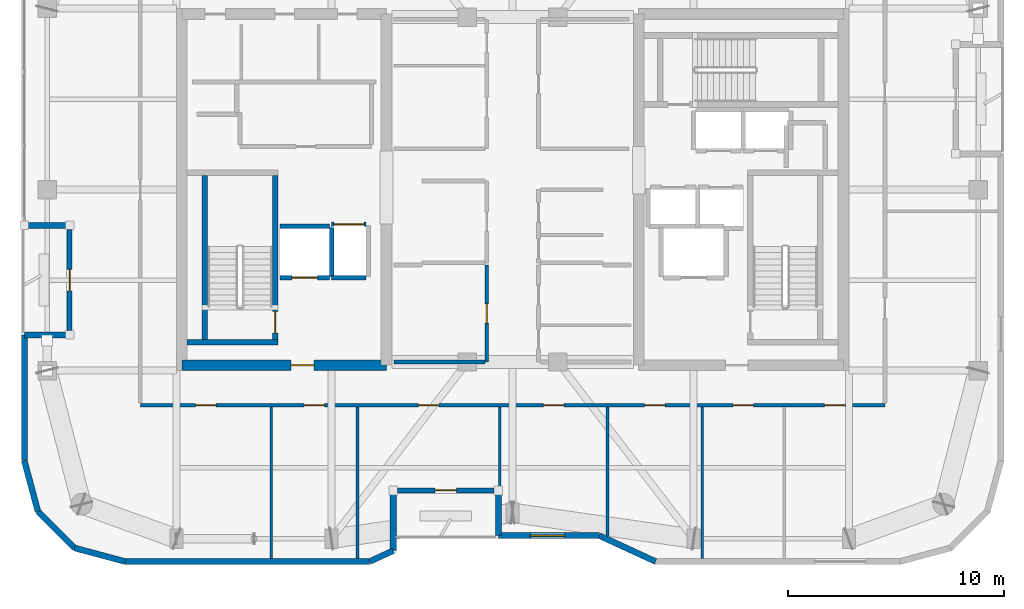
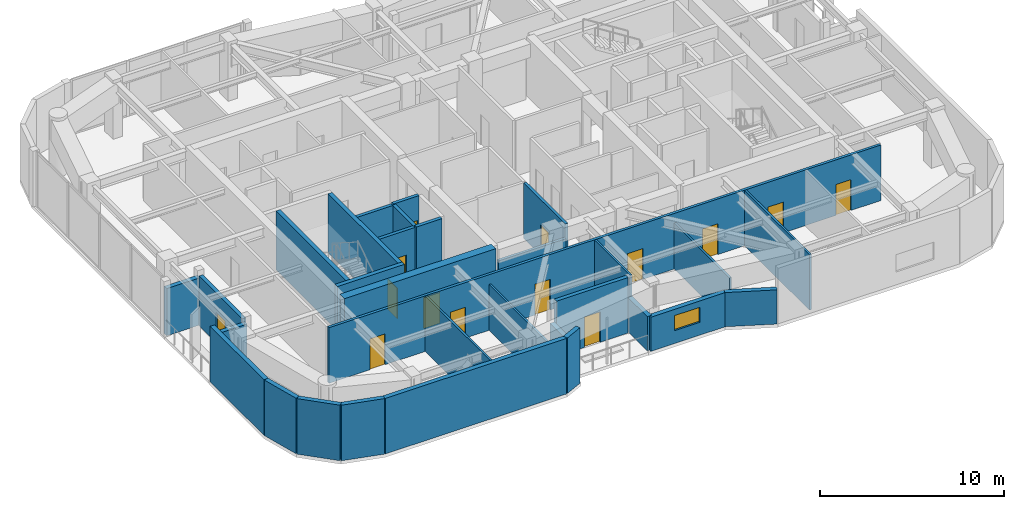
# One storey, part 10 of 15: 31 walls, 14 doors, 1 window, 15 openings.
"""IFC4 building model written with IfcOpenShell, lengths in metres."""

from ifc_helpers import new_model, si_unit, direction, frame, frame_2d, origin, place, context, subcontext, project, spatial, rectangle, extrude, material, layer, layer_set, type_object, element, fill, save


model = new_model("IFC4")

# Units and contexts
model_context = context("Model", 3, precision=1e-05, world=origin(), true_north=direction((0.0, 1.0)))
body_context = subcontext(model_context, "Body", "Model", "MODEL_VIEW")
ifc_project = project(units=[si_unit("LENGTHUNIT", "METRE"), si_unit("AREAUNIT", "SQUARE_METRE"), si_unit("VOLUMEUNIT", "CUBIC_METRE"), si_unit("PLANEANGLEUNIT", "RADIAN"), si_unit("MASSUNIT", "GRAM", prefix="KILO")], contexts=[model_context])

# Site, building, storey
site_placement = place(None, origin())
site = spatial("IfcSite", under=ifc_project, at=site_placement, CompositionType="ELEMENT")
building_placement = place(site_placement, origin())
building = spatial("IfcBuilding", under=site, at=building_placement, Name="Kiyonajd Concourse Tower", CompositionType="ELEMENT")
storey_placement = place(building_placement, frame((0.0, 0.0, 314.10009765625)))
storey = spatial("IfcBuildingStorey", under=building, at=storey_placement, Name="L79", CompositionType="ELEMENT", Elevation=314.10009765625)

# Wall, opening, door
ifc_material_1 = material(Name="Concrete C60/75", Category="concrete")
ifc_layer_1 = layer(ifc_material_1, 0.5)
ifc_layer_set_1 = layer_set([ifc_layer_1], Name="Concrete C60/75")
wall_type_1 = type_object("IfcWallType", Name="WL-CORE-500", PredefinedType="SHEAR", material=ifc_layer_set_1)
wall_1_placement = place(storey_placement, frame((32.64990234375, 27.85009765625, 0.0), z_axis=(0.0, 0.0, 1.0), x_axis=(1.0, 0.0, 0.0)))
wall_1 = element("IfcWall", 1, at=wall_1_placement, inside=storey, type_object=wall_type_1, Name="L79 West Core South Shear Wall", PredefinedType="SHEAR", context=body_context, shape_type="SweptSolid", body=[
    extrude(rectangle(XDim=9.5, YDim=0.5, at=frame_2d((4.75, 0.0))), origin(), (0.0, 0.0, 1.0), 3.89990234375),
])
opening_1_placement = place(wall_1_placement, frame((5.074951171875, 0.0, 0.0)))
opening_1 = element("IfcOpeningElement", 2, at=opening_1_placement, cuts=wall_1, Name="Opening DF5", PredefinedType="OPENING", context=body_context, shape_type="SweptSolid", body=[
    extrude(rectangle(XDim=1.050048828125, YDim=2.0400390625, at=frame_2d((0.52490234375, 1.02001953125))), frame((0.0, 0.260009765625, 0.0), z_axis=(0.0, -1.0, 0.0), x_axis=(1.0, 0.0, 0.0)), (0.0, 0.0, 1.0), 0.52001953125),
])
ifc_material_2 = material(Name="Brushed Stainless Steel Cab Assembly", Category="steel")
door_type_1 = type_object("IfcDoorType", Name="DR-FD45-1050", OperationType="NOTDEFINED", PredefinedType="DOOR", material=ifc_material_2)
door_1_placement = place(opening_1_placement, origin())
door_1 = element("IfcDoor", 3, at=door_1_placement, inside=storey, type_object=door_type_1, Name="L79 Firefighting Lift Lobby W Smoke Door", OperationType="SINGLE_SWING_LEFT", OverallHeight=2.0400390625, OverallWidth=1.050048828125, PredefinedType="DOOR", context=body_context, shape_type="SweptSolid", body=[
    extrude(rectangle(XDim=1.050048828125, YDim=2.0400390625, at=frame_2d((0.52490234375, 1.02001953125))), frame((0.0, 0.02490234375, 0.0), z_axis=(0.0, -1.0, 0.0), x_axis=(1.0, 0.0, 0.0)), (0.0, 0.0, 1.0), 0.050048828125),
])
fill(opening_1, door_1)

# Walls
ifc_material_3 = material(Name="Precast concrete C50/60", Category="concrete")
ifc_layer_2 = layer(ifc_material_3, 0.280029296875)
ifc_layer_set_2 = layer_set([ifc_layer_2], Name="Precast concrete C50/60")
wall_type_2 = type_object("IfcWallType", Name="WL-EXT-280", PredefinedType="SOLIDWALL", material=ifc_layer_set_2)
wall_2_placement = place(storey_placement, frame((25.968505859375, 21.072509765625, 0.0), z_axis=(0.0, 0.0, 1.0), x_axis=(-0.258751159445, 0.965944013639, 0.0)))
element("IfcWall", 4, at=wall_2_placement, inside=storey, type_object=wall_type_2, Name="L79 Exterior Concrete Frame Wall 00", PredefinedType="SOLIDWALL", context=body_context, shape_type="SweptSolid", body=[
    extrude(rectangle(XDim=2.4287109375, YDim=0.280029296875, at=frame_2d((1.21435546875, 0.0))), origin(), (0.0, 0.0, 1.0), 3.679931640625),
])
wall_3_placement = place(storey_placement, frame((25.340087890625, 23.41845703125, 0.0), z_axis=(0.0, 0.0, 1.0), x_axis=(0.0, 1.0, 0.0)))
element("IfcWall", 5, at=wall_3_placement, inside=storey, type_object=wall_type_2, Name="L79 Exterior Concrete Frame Wall 01", PredefinedType="SOLIDWALL", context=body_context, shape_type="SweptSolid", body=[
    extrude(rectangle(XDim=5.841552734375, YDim=0.280029296875, at=frame_2d((2.9208984375, 0.0))), origin(), (0.0, 0.0, 1.0), 3.679931640625),
])
for number, where, z_axis, x_axis, name in (
    (6, (25.340087890625, 29.260009765625, 0.0), (0.0, 0.0, 1.0), (1.0, 0.0, 0.0), "L79 Exterior Concrete Frame Wall 02"),
    (7, (27.43994140625, 34.340087890625, 0.0), (0.0, 0.0, 1.0), (-1.0, 0.0, 0.0), "L79 Exterior Concrete Frame Wall 04"),
):
    element("IfcWall", number, at=place(storey_placement, frame(where, z_axis=z_axis, x_axis=x_axis)), inside=storey, type_object=wall_type_2, Name=name, PredefinedType="SOLIDWALL", context=body_context, shape_type="SweptSolid", body=[
        extrude(rectangle(XDim=2.099853515625, YDim=0.280029296875, at=frame_2d((1.0498046875, 0.0))), origin(), (0.0, 0.0, 1.0), 3.1259765625),
    ])
wall_4_placement = place(storey_placement, frame((54.630615234375, 18.739990234375, 0.0), z_axis=(0.0, 0.0, 1.0), x_axis=(-0.907956889006, 0.419063584324, 0.0)))
element("IfcWall", 8, at=wall_4_placement, inside=storey, type_object=wall_type_2, Name="L79 Exterior Concrete Frame Wall 29", PredefinedType="SOLIDWALL", context=body_context, shape_type="SweptSolid", body=[
    extrude(rectangle(XDim=2.863525390625, YDim=0.280029296875, at=frame_2d((1.431640625, 0.0))), origin(), (0.0, 0.0, 1.0), 2.264892578125),
])

# Wall, opening, window
wall_5_placement = place(storey_placement, frame((52.03076171875, 19.93994140625, 0.0), z_axis=(0.0, 0.0, 1.0), x_axis=(-1.0, 0.0, 0.0)))
wall_5 = element("IfcWall", 9, at=wall_5_placement, inside=storey, type_object=wall_type_2, Name="L79 Exterior Concrete Frame Wall 30", PredefinedType="SOLIDWALL", context=body_context, shape_type="SweptSolid", body=[
    extrude(rectangle(XDim=4.690673828125, YDim=0.280029296875, at=frame_2d((2.34521484375, 0.0))), origin(), (0.0, 0.0, 1.0), 2.264892578125),
])
opening_2_placement = place(wall_5_placement, frame((1.610107421875, 0.0, 0.85009765625)))
opening_2 = element("IfcOpeningElement", 10, at=opening_2_placement, cuts=wall_5, Name="Opening WN6", PredefinedType="OPENING", context=body_context, shape_type="SweptSolid", body=[
    extrude(rectangle(XDim=1.60009765625, YDim=1.0, at=frame_2d((0.800048828125, 0.5))), frame((0.0, 0.14990234375, 0.0), z_axis=(0.0, -1.0, 0.0), x_axis=(1.0, 0.0, 0.0)), (0.0, 0.0, 1.0), 0.300048828125),
])
ifc_material_4 = material(Name="Double Low-E Insulated Glass", Category="glass")
window_type = type_object("IfcWindowType", Name="WN-VIS-1600x1000", PartitioningType="SINGLE_PANEL", PredefinedType="WINDOW", material=ifc_material_4)
window_placement = place(opening_2_placement, origin())
window = element("IfcWindow", 11, at=window_placement, inside=storey, type_object=window_type, Name="L79 Modular Facade Vision Window 30", OverallHeight=1.0, OverallWidth=1.60009765625, PartitioningType="SINGLE_PANEL", PredefinedType="WINDOW", context=body_context, shape_type="SweptSolid", body=[
    extrude(rectangle(XDim=1.60009765625, YDim=1.0, at=frame_2d((0.800048828125, 0.5))), frame((0.0, 0.030029296875, 0.0), z_axis=(0.0, -1.0, 0.0), x_axis=(1.0, 0.0, 0.0)), (0.0, 0.0, 1.0), 0.06005859375),
])
fill(opening_2, window)

# Walls
wall_6_placement = place(storey_placement, frame((47.340087890625, 19.93994140625, 0.0), z_axis=(0.0, 0.0, 1.0), x_axis=(0.0, 1.0, 0.0)))
element("IfcWall", 12, at=wall_6_placement, inside=storey, type_object=wall_type_2, Name="L79 Exterior Concrete Frame Wall 31", PredefinedType="SOLIDWALL", context=body_context, shape_type="SweptSolid", body=[
    extrude(rectangle(XDim=2.10009765625, YDim=0.280029296875, at=frame_2d((1.050048828125, 0.0))), origin(), (0.0, 0.0, 1.0), 2.264892578125),
])
wall_7_placement = place(storey_placement, frame((42.4599609375, 22.0400390625, 0.0), z_axis=(0.0, 0.0, 1.0), x_axis=(0.0, -1.0, 0.0)))
element("IfcWall", 13, at=wall_7_placement, inside=storey, type_object=wall_type_2, Name="L79 Exterior Concrete Frame Wall 33", PredefinedType="SOLIDWALL", context=body_context, shape_type="SweptSolid", body=[
    extrude(rectangle(XDim=2.79638671875, YDim=0.280029296875, at=frame_2d((1.398193359375, 0.0))), origin(), (0.0, 0.0, 1.0), 2.264892578125),
])
wall_8_placement = place(storey_placement, frame((42.4599609375, 19.24365234375, 0.0), z_axis=(0.0, 0.0, 1.0), x_axis=(-0.907893953211, -0.419199916176, 0.0)))
element("IfcWall", 14, at=wall_8_placement, inside=storey, type_object=wall_type_2, Name="L79 Exterior Concrete Frame Wall 34", PredefinedType="SOLIDWALL", context=body_context, shape_type="SweptSolid", body=[
    extrude(rectangle(XDim=1.201416015625, YDim=0.280029296875, at=frame_2d((0.6005859375, 0.0))), origin(), (0.0, 0.0, 1.0), 3.679931640625),
])
wall_9_placement = place(storey_placement, frame((41.369140625, 18.739990234375, 0.0), z_axis=(0.0, 0.0, 1.0), x_axis=(-1.0, 0.0, 0.0)))
element("IfcWall", 15, at=wall_9_placement, inside=storey, type_object=wall_type_2, Name="L79 Exterior Concrete Frame Wall 35", PredefinedType="SOLIDWALL", context=body_context, shape_type="SweptSolid", body=[
    extrude(rectangle(XDim=11.350830078125, YDim=0.280029296875, at=frame_2d((5.67529296875, 0.0))), origin(), (0.0, 0.0, 1.0), 3.679931640625),
])
wall_10_placement = place(storey_placement, frame((30.018310546875, 18.739990234375, 0.0), z_axis=(0.0, 0.0, 1.0), x_axis=(-0.965937282298, 0.25877628691, 0.0)))
element("IfcWall", 16, at=wall_10_placement, inside=storey, type_object=wall_type_2, Name="L79 Exterior Concrete Frame Wall 36", PredefinedType="SOLIDWALL", context=body_context, shape_type="SweptSolid", body=[
    extrude(rectangle(XDim=2.428466796875, YDim=0.280029296875, at=frame_2d((1.21435546875, 0.0))), origin(), (0.0, 0.0, 1.0), 3.679931640625),
])
wall_11_placement = place(storey_placement, frame((27.672607421875, 19.368408203125, 0.0), z_axis=(0.0, 0.0, 1.0), x_axis=(-0.707106781187, 0.707106781187, 0.0)))
element("IfcWall", 17, at=wall_11_placement, inside=storey, type_object=wall_type_2, Name="L79 Exterior Concrete Frame Wall 37", PredefinedType="SOLIDWALL", context=body_context, shape_type="SweptSolid", body=[
    extrude(rectangle(XDim=2.409912109375, YDim=0.280029296875, at=frame_2d((1.205078125, 0.0))), origin(), (0.0, 0.0, 1.0), 3.679931640625),
])

# Wall, opening, door
ifc_layer_3 = layer(ifc_material_3, 0.239990234375)
ifc_layer_set_3 = layer_set([ifc_layer_3], Name="Precast concrete C50/60")
wall_type_3 = type_object("IfcWallType", Name="WL-LOG-240", PredefinedType="SOLIDWALL", material=ifc_layer_set_3)
wall_12_placement = place(storey_placement, frame((27.43994140625, 29.455078125, 0.0), z_axis=(0.0, 0.0, 1.0), x_axis=(0.0, 1.0, 0.0)))
wall_12 = element("IfcWall", 18, at=wall_12_placement, inside=storey, type_object=wall_type_3, Name="L79 Recessed Loggia Thermal Wall LOG-W", PredefinedType="SOLIDWALL", context=body_context, shape_type="SweptSolid", body=[
    extrude(rectangle(XDim=4.68994140625, YDim=0.239990234375, at=frame_2d((2.344970703125, 0.0))), origin(), (0.0, 0.0, 1.0), 3.310791015625),
])
opening_3_placement = place(wall_12_placement, frame((1.844970703125, 0.0, 0.0)))
opening_3 = element("IfcOpeningElement", 19, at=opening_3_placement, cuts=wall_12, Name="Opening DL1", PredefinedType="OPENING", context=body_context, shape_type="SweptSolid", body=[
    extrude(rectangle(XDim=1.0, YDim=2.02001953125, at=frame_2d((0.5, 1.010009765625))), frame((0.0, 0.1298828125, 0.0), z_axis=(0.0, -1.0, 0.0), x_axis=(1.0, 0.0, 0.0)), (0.0, 0.0, 1.0), 0.260009765625),
])
ifc_material_5 = material(Name="Thermally Broken Anodised Aluminium", Category="aluminium")
door_type_2 = type_object("IfcDoorType", Name="DR-LOG-1000", OperationType="NOTDEFINED", PredefinedType="DOOR", material=ifc_material_5)
door_2_placement = place(opening_3_placement, origin())
door_2 = element("IfcDoor", 20, at=door_2_placement, inside=storey, type_object=door_type_2, Name="L79 Engawa Loggia Access Door LOG-W", OperationType="SINGLE_SWING_LEFT", OverallHeight=2.02001953125, OverallWidth=1.0, PredefinedType="DOOR", context=body_context, shape_type="SweptSolid", body=[
    extrude(rectangle(XDim=1.0, YDim=2.02001953125, at=frame_2d((0.5, 1.010009765625))), frame((0.0, 0.02490234375, 0.0), z_axis=(0.0, -1.0, 0.0), x_axis=(1.0, 0.0, 0.0)), (0.0, 0.0, 1.0), 0.050048828125),
])
fill(opening_3, door_2)

wall_13_placement = place(storey_placement, frame((47.14501953125, 22.0400390625, 0.0), z_axis=(0.0, 0.0, 1.0), x_axis=(-1.0, 0.0, 0.0)))
wall_13 = element("IfcWall", 21, at=wall_13_placement, inside=storey, type_object=wall_type_3, Name="L79 Recessed Loggia Thermal Wall LOG-S", PredefinedType="SOLIDWALL", context=body_context, shape_type="SweptSolid", body=[
    extrude(rectangle(XDim=4.489990234375, YDim=0.239990234375, at=frame_2d((2.2451171875, 0.0))), origin(), (0.0, 0.0, 1.0), 3.679931640625),
])
opening_4_placement = place(wall_13_placement, frame((1.7451171875, 0.0, 0.0)))
opening_4 = element("IfcOpeningElement", 22, at=opening_4_placement, cuts=wall_13, Name="Opening DL1", PredefinedType="OPENING", context=body_context, shape_type="SweptSolid", body=[
    extrude(rectangle(XDim=1.0, YDim=2.02001953125, at=frame_2d((0.5, 1.010009765625))), frame((0.0, 0.1298828125, 0.0), z_axis=(0.0, -1.0, 0.0), x_axis=(1.0, 0.0, 0.0)), (0.0, 0.0, 1.0), 0.260009765625),
])
door_3_placement = place(opening_4_placement, origin())
door_3 = element("IfcDoor", 23, at=door_3_placement, inside=storey, type_object=door_type_2, Name="L79 Engawa Loggia Access Door LOG-S", OperationType="SINGLE_SWING_RIGHT", OverallHeight=2.02001953125, OverallWidth=1.0, PredefinedType="DOOR", context=body_context, shape_type="SweptSolid", body=[
    extrude(rectangle(XDim=1.0, YDim=2.02001953125, at=frame_2d((0.5, 1.010009765625))), frame((0.0, 0.02490234375, 0.0), z_axis=(0.0, -1.0, 0.0), x_axis=(1.0, 0.0, 0.0)), (0.0, 0.0, 1.0), 0.050048828125),
])
fill(opening_4, door_3)

# Walls
ifc_material_6 = material(Name="Gypsum Board on Cold-Formed Steel Stud", Category="steel")
ifc_layer_4 = layer(ifc_material_6, 0.125)
ifc_layer_set_4 = layer_set([ifc_layer_4], Name="Gypsum Board on Cold-Formed Steel Stud")
wall_type_4 = type_object("IfcWallType", Name="WL-PART-125", PredefinedType="PARTITIONING", material=ifc_layer_set_4)
wall_14_placement = place(storey_placement, frame((36.800048828125, 18.875, 0.0), z_axis=(0.0, 0.0, 1.0), x_axis=(0.0, 1.0, 0.0)))
element("IfcWall", 24, at=wall_14_placement, inside=storey, type_object=wall_type_4, Name="L79 Interior Partition Wall", PredefinedType="PARTITIONING", context=body_context, shape_type="SweptSolid", body=[
    extrude(rectangle(XDim=7.0380859375, YDim=0.125, at=frame_2d((3.51904296875, 0.0))), origin(), (0.0, 0.0, 1.0), 3.679931640625),
])
wall_15_placement = place(storey_placement, frame((40.800048828125, 18.875, 0.0), z_axis=(0.0, 0.0, 1.0), x_axis=(0.0, 1.0, 0.0)))
element("IfcWall", 25, at=wall_15_placement, inside=storey, type_object=wall_type_4, Name="L79 Interior Partition Wall", PredefinedType="PARTITIONING", context=body_context, shape_type="SweptSolid", body=[
    extrude(rectangle(XDim=7.0380859375, YDim=0.125, at=frame_2d((3.51904296875, 0.0))), origin(), (0.0, 0.0, 1.0), 3.04296875),
])
wall_16_placement = place(storey_placement, frame((47.39990234375, 22.0400390625, 0.0), z_axis=(0.0, 0.0, 1.0), x_axis=(0.0, 1.0, 0.0)))
element("IfcWall", 26, at=wall_16_placement, inside=storey, type_object=wall_type_4, Name="L79 Interior Partition Wall", PredefinedType="PARTITIONING", context=body_context, shape_type="SweptSolid", body=[
    extrude(rectangle(XDim=3.873046875, YDim=0.125, at=frame_2d((1.9365234375, 0.0))), origin(), (0.0, 0.0, 1.0), 3.679931640625),
])
wall_17_placement = place(storey_placement, frame((52.39990234375, 19.9208984375, 0.0), z_axis=(0.0, 0.0, 1.0), x_axis=(0.0, 1.0, 0.0)))
element("IfcWall", 27, at=wall_17_placement, inside=storey, type_object=wall_type_4, Name="L79 Interior Partition Wall", PredefinedType="PARTITIONING", context=body_context, shape_type="SweptSolid", body=[
    extrude(rectangle(XDim=5.9921875, YDim=0.125, at=frame_2d((2.99609375, 0.0))), origin(), (0.0, 0.0, 1.0), 3.04296875),
])
wall_18_placement = place(storey_placement, frame((56.800048828125, 18.875, 0.0), z_axis=(0.0, 0.0, 1.0), x_axis=(0.0, 1.0, 0.0)))
element("IfcWall", 28, at=wall_18_placement, inside=storey, type_object=wall_type_4, Name="L79 Interior Partition Wall", PredefinedType="PARTITIONING", context=body_context, shape_type="SweptSolid", body=[
    extrude(rectangle(XDim=7.0380859375, YDim=0.125, at=frame_2d((3.51904296875, 0.0))), origin(), (0.0, 0.0, 1.0), 3.679931640625),
])

# Wall, opening, door
ifc_layer_5 = layer(ifc_material_6, 0.2099609375)
ifc_layer_set_5 = layer_set([ifc_layer_5], Name="Gypsum Board on Cold-Formed Steel Stud")
wall_type_5 = type_object("IfcWallType", Name="WL-SHAFT-210", PredefinedType="PARTITIONING", material=ifc_layer_set_5)
wall_19_placement = place(storey_placement, frame((37.199951171875, 31.89990234375, 0.0), z_axis=(0.0, 0.0, 1.0), x_axis=(1.0, 0.0, 0.0)))
wall_19 = element("IfcWall", 29, at=wall_19_placement, inside=storey, type_object=wall_type_5, Name="L79 Shaft Enclosure Wall", PredefinedType="PARTITIONING", context=body_context, shape_type="SweptSolid", body=[
    extrude(rectangle(XDim=2.300048828125, YDim=0.2099609375, at=frame_2d((1.14990234375, 0.0))), origin(), (0.0, 0.0, 1.0), 3.679931640625),
])
opening_5_placement = place(wall_19_placement, frame((0.550048828125, 0.0, 0.0)))
opening_5 = element("IfcOpeningElement", 30, at=opening_5_placement, cuts=wall_19, Name="Opening LD2", PredefinedType="OPENING", context=body_context, shape_type="SweptSolid", body=[
    extrude(rectangle(XDim=1.199951171875, YDim=2.0400390625, at=frame_2d((0.60009765625, 1.02001953125))), frame((0.0, 0.114990234375, 0.0), z_axis=(0.0, -1.0, 0.0), x_axis=(1.0, 0.0, 0.0)), (0.0, 0.0, 1.0), 0.22998046875),
])
door_type_3 = type_object("IfcDoorType", Name="DR-LD-1200", OperationType="DOUBLE_DOOR_SLIDING", PredefinedType="DOOR", material=ifc_material_2)
door_4_placement = place(opening_5_placement, origin())
door_4 = element("IfcDoor", 31, at=door_4_placement, inside=storey, type_object=door_type_3, Name="L79 Lift FFL1 Sliding Landing Door", OperationType="DOUBLE_DOOR_SLIDING", OverallHeight=2.0400390625, OverallWidth=1.199951171875, PredefinedType="DOOR", context=body_context, shape_type="SweptSolid", body=[
    extrude(rectangle(XDim=1.199951171875, YDim=2.0400390625, at=frame_2d((0.60009765625, 1.02001953125))), frame((0.0, 0.02490234375, 0.0), z_axis=(0.0, -1.0, 0.0), x_axis=(1.0, 0.0, 0.0)), (0.0, 0.0, 1.0), 0.050048828125),
])
fill(opening_5, door_4)

# Walls
wall_20_placement = place(storey_placement, frame((37.199951171875, 34.300048828125, 0.0), z_axis=(0.0, 0.0, 1.0), x_axis=(1.0, 0.0, 0.0)))
element("IfcWall", 32, at=wall_20_placement, inside=storey, type_object=wall_type_5, Name="L79 Shaft Enclosure Wall", PredefinedType="PARTITIONING", context=body_context, shape_type="SweptSolid", body=[
    extrude(rectangle(XDim=2.300048828125, YDim=0.2099609375, at=frame_2d((1.14990234375, 0.0))), origin(), (0.0, 0.0, 1.0), 3.679931640625),
])
wall_21_placement = place(storey_placement, frame((39.60009765625, 31.9599609375, 0.0), z_axis=(0.0, 0.0, 1.0), x_axis=(0.0, 1.0, 0.0)))
element("IfcWall", 33, at=wall_21_placement, inside=storey, type_object=wall_type_5, Name="L79 Shaft Enclosure Wall", PredefinedType="PARTITIONING", context=body_context, shape_type="SweptSolid", body=[
    extrude(rectangle(XDim=2.280029296875, YDim=0.2099609375, at=frame_2d((1.14013671875, 0.0))), origin(), (0.0, 0.0, 1.0), 3.679931640625),
])

# Wall, opening, door
wall_22_placement = place(storey_placement, frame((39.60009765625, 34.39990234375, 0.0), z_axis=(0.0, 0.0, 1.0), x_axis=(1.0, 0.0, 0.0)))
wall_22 = element("IfcWall", 34, at=wall_22_placement, inside=storey, type_object=wall_type_5, Name="L79 Shaft Enclosure Wall", PredefinedType="PARTITIONING", context=body_context, shape_type="SweptSolid", body=[
    extrude(rectangle(XDim=1.599853515625, YDim=0.2099609375, at=frame_2d((0.7998046875, 0.0))), origin(), (0.0, 0.0, 1.0), 3.679931640625),
])
opening_6_placement = place(wall_22_placement, frame((0.10009765625, 0.0, 0.0)))
opening_6 = element("IfcOpeningElement", 35, at=opening_6_placement, cuts=wall_22, Name="Opening LD3", PredefinedType="OPENING", context=body_context, shape_type="SweptSolid", body=[
    extrude(rectangle(XDim=1.39990234375, YDim=2.06005859375, at=frame_2d((0.699951171875, 1.030029296875))), frame((0.0, 0.114990234375, 0.0), z_axis=(0.0, -1.0, 0.0), x_axis=(1.0, 0.0, 0.0)), (0.0, 0.0, 1.0), 0.22998046875),
])
door_type_4 = type_object("IfcDoorType", Name="DR-LD-1400", OperationType="DOUBLE_DOOR_SLIDING", PredefinedType="DOOR", material=ifc_material_2)
door_5_placement = place(opening_6_placement, origin())
door_5 = element("IfcDoor", 36, at=door_5_placement, inside=storey, type_object=door_type_4, Name="L79 Lift SVL1 Sliding Landing Door", OperationType="DOUBLE_DOOR_SLIDING", OverallHeight=2.06005859375, OverallWidth=1.39990234375, PredefinedType="DOOR", context=body_context, shape_type="SweptSolid", body=[
    extrude(rectangle(XDim=1.39990234375, YDim=2.06005859375, at=frame_2d((0.699951171875, 1.030029296875))), frame((0.0, 0.02490234375, 0.0), z_axis=(0.0, -1.0, 0.0), x_axis=(1.0, 0.0, 0.0)), (0.0, 0.0, 1.0), 0.050048828125),
])
fill(opening_6, door_5)

# Wall
wall_23_placement = place(storey_placement, frame((39.60009765625, 31.89990234375, 0.0), z_axis=(0.0, 0.0, 1.0), x_axis=(1.0, 0.0, 0.0)))
element("IfcWall", 37, at=wall_23_placement, inside=storey, type_object=wall_type_5, Name="L79 Shaft Enclosure Wall", PredefinedType="PARTITIONING", context=body_context, shape_type="SweptSolid", body=[
    extrude(rectangle(XDim=1.599853515625, YDim=0.2099609375, at=frame_2d((0.7998046875, 0.0))), origin(), (0.0, 0.0, 1.0), 3.679931640625),
])

# Wall, opening, door
ifc_layer_6 = layer(ifc_material_6, 0.169921875)
ifc_layer_set_6 = layer_set([ifc_layer_6], Name="Gypsum Board on Cold-Formed Steel Stud")
wall_type_6 = type_object("IfcWallType", Name="WL-SMK-170", PredefinedType="PARTITIONING", material=ifc_layer_set_6)
wall_24_placement = place(storey_placement, frame((46.800048828125, 28.0, 0.0), z_axis=(0.0, 0.0, 1.0), x_axis=(0.0, 1.0, 0.0)))
wall_24 = element("IfcWall", 38, at=wall_24_placement, inside=storey, type_object=wall_type_6, Name="L79 Interior Partition Wall", PredefinedType="PARTITIONING", context=body_context, shape_type="SweptSolid", body=[
    extrude(rectangle(XDim=4.5, YDim=0.169921875, at=frame_2d((2.25, 0.0))), origin(), (0.0, 0.0, 1.0), 3.679931640625),
])
opening_7_placement = place(wall_24_placement, frame((1.800048828125, 0.0, 0.0)))
opening_7 = element("IfcOpeningElement", 39, at=opening_7_placement, cuts=wall_24, Name="Opening DI2", PredefinedType="OPENING", context=body_context, shape_type="SweptSolid", body=[
    extrude(rectangle(XDim=0.89990234375, YDim=2.02001953125, at=frame_2d((0.449951171875, 1.010009765625))), frame((0.0, 0.094970703125, 0.0), z_axis=(0.0, -1.0, 0.0), x_axis=(1.0, 0.0, 0.0)), (0.0, 0.0, 1.0), 0.18994140625),
])
ifc_material_7 = material(Name="Natural Oak Acoustic Timber Veneer", Category="wood")
door_type_5 = type_object("IfcDoorType", Name="DR-INT-900", OperationType="NOTDEFINED", PredefinedType="DOOR", material=ifc_material_7)
door_6_placement = place(opening_7_placement, origin())
door_6 = element("IfcDoor", 40, at=door_6_placement, inside=storey, type_object=door_type_5, Name="L79 Interior Door", OperationType="SINGLE_SWING_LEFT", OverallHeight=2.02001953125, OverallWidth=0.89990234375, PredefinedType="DOOR", context=body_context, shape_type="SweptSolid", body=[
    extrude(rectangle(XDim=0.89990234375, YDim=2.02001953125, at=frame_2d((0.449951171875, 1.010009765625))), frame((0.0, 0.02490234375, 0.0), z_axis=(0.0, -1.0, 0.0), x_axis=(1.0, 0.0, 0.0)), (0.0, 0.0, 1.0), 0.050048828125),
])
fill(opening_7, door_6)

# Wall
wall_25_placement = place(storey_placement, frame((42.5, 28.0, 0.0), z_axis=(0.0, 0.0, 1.0), x_axis=(1.0, 0.0, 0.0)))
element("IfcWall", 41, at=wall_25_placement, inside=storey, type_object=wall_type_6, Name="L79 Interior Partition Wall", PredefinedType="PARTITIONING", context=body_context, shape_type="SweptSolid", body=[
    extrude(rectangle(XDim=4.212890625, YDim=0.169921875, at=frame_2d((2.1064453125, 0.0))), origin(), (0.0, 0.0, 1.0), 2.764892578125),
])

# Wall, openings, doors
wall_26_placement = place(storey_placement, frame((30.72509765625, 26.0, 0.0), z_axis=(0.0, 0.0, 1.0), x_axis=(1.0, 0.0, 0.0)))
wall_26 = element("IfcWall", 42, at=wall_26_placement, inside=storey, type_object=wall_type_6, Name="L79 Interior Partition Wall", PredefinedType="PARTITIONING", context=body_context, shape_type="SweptSolid", body=[
    extrude(rectangle(XDim=34.5498046875, YDim=0.169921875, at=frame_2d((17.27490234375, 0.0))), origin(), (0.0, 0.0, 1.0), 3.679931640625),
])
opening_8_placement = place(wall_26_placement, frame((2.56298828125, 0.0, 0.0)))
opening_8 = element("IfcOpeningElement", 43, at=opening_8_placement, cuts=wall_26, Name="Opening DI1", PredefinedType="OPENING", context=body_context, shape_type="SweptSolid", body=[
    extrude(rectangle(XDim=0.949951171875, YDim=2.0400390625, at=frame_2d((0.47509765625, 1.02001953125))), frame((0.0, 0.094970703125, 0.0), z_axis=(0.0, -1.0, 0.0), x_axis=(1.0, 0.0, 0.0)), (0.0, 0.0, 1.0), 0.18994140625),
])
opening_9_placement = place(wall_26_placement, frame((7.60009765625, 0.0, 0.0)))
opening_9 = element("IfcOpeningElement", 44, at=opening_9_placement, cuts=wall_26, Name="Opening DI1", PredefinedType="OPENING", context=body_context, shape_type="SweptSolid", body=[
    extrude(rectangle(XDim=0.949951171875, YDim=2.0400390625, at=frame_2d((0.47509765625, 1.02001953125))), frame((0.0, 0.094970703125, 0.0), z_axis=(0.0, -1.0, 0.0), x_axis=(1.0, 0.0, 0.0)), (0.0, 0.0, 1.0), 0.18994140625),
])
opening_10_placement = place(wall_26_placement, frame((12.89990234375, 0.0, 0.0)))
opening_10 = element("IfcOpeningElement", 45, at=opening_10_placement, cuts=wall_26, Name="Opening DI1", PredefinedType="OPENING", context=body_context, shape_type="SweptSolid", body=[
    extrude(rectangle(XDim=0.949951171875, YDim=2.0400390625, at=frame_2d((0.47509765625, 1.02001953125))), frame((0.0, 0.094970703125, 0.0), z_axis=(0.0, -1.0, 0.0), x_axis=(1.0, 0.0, 0.0)), (0.0, 0.0, 1.0), 0.18994140625),
])
opening_11_placement = place(wall_26_placement, frame((18.699951171875, 0.0, 0.0)))
opening_11 = element("IfcOpeningElement", 46, at=opening_11_placement, cuts=wall_26, Name="Opening DI1", PredefinedType="OPENING", context=body_context, shape_type="SweptSolid", body=[
    extrude(rectangle(XDim=0.949951171875, YDim=2.0400390625, at=frame_2d((0.47509765625, 1.02001953125))), frame((0.0, 0.094970703125, 0.0), z_axis=(0.0, -1.0, 0.0), x_axis=(1.0, 0.0, 0.0)), (0.0, 0.0, 1.0), 0.18994140625),
])
opening_12_placement = place(wall_26_placement, frame((23.39990234375, 0.0, 0.0)))
opening_12 = element("IfcOpeningElement", 47, at=opening_12_placement, cuts=wall_26, Name="Opening DI1", PredefinedType="OPENING", context=body_context, shape_type="SweptSolid", body=[
    extrude(rectangle(XDim=0.949951171875, YDim=2.0400390625, at=frame_2d((0.47509765625, 1.02001953125))), frame((0.0, 0.094970703125, 0.0), z_axis=(0.0, -1.0, 0.0), x_axis=(1.0, 0.0, 0.0)), (0.0, 0.0, 1.0), 0.18994140625),
])
opening_13_placement = place(wall_26_placement, frame((27.5, 0.0, 0.0)))
opening_13 = element("IfcOpeningElement", 48, at=opening_13_placement, cuts=wall_26, Name="Opening DI1", PredefinedType="OPENING", context=body_context, shape_type="SweptSolid", body=[
    extrude(rectangle(XDim=0.949951171875, YDim=2.0400390625, at=frame_2d((0.47509765625, 1.02001953125))), frame((0.0, 0.094970703125, 0.0), z_axis=(0.0, -1.0, 0.0), x_axis=(1.0, 0.0, 0.0)), (0.0, 0.0, 1.0), 0.18994140625),
])
opening_14_placement = place(wall_26_placement, frame((31.738037109375, 0.0, 0.0)))
opening_14 = element("IfcOpeningElement", 49, at=opening_14_placement, cuts=wall_26, Name="Opening DI1", PredefinedType="OPENING", context=body_context, shape_type="SweptSolid", body=[
    extrude(rectangle(XDim=0.949951171875, YDim=2.0400390625, at=frame_2d((0.47509765625, 1.02001953125))), frame((0.0, 0.094970703125, 0.0), z_axis=(0.0, -1.0, 0.0), x_axis=(1.0, 0.0, 0.0)), (0.0, 0.0, 1.0), 0.18994140625),
])
door_type_6 = type_object("IfcDoorType", Name="DR-INT-950", OperationType="NOTDEFINED", PredefinedType="DOOR", material=ifc_material_7)
door_7_placement = place(opening_8_placement, origin())
door_7 = element("IfcDoor", 50, at=door_7_placement, inside=storey, type_object=door_type_6, Name="L79 Interior Door", OperationType="SINGLE_SWING_LEFT", OverallHeight=2.0400390625, OverallWidth=0.949951171875, PredefinedType="DOOR", context=body_context, shape_type="SweptSolid", body=[
    extrude(rectangle(XDim=0.949951171875, YDim=2.0400390625, at=frame_2d((0.47509765625, 1.02001953125))), frame((0.0, 0.02490234375, 0.0), z_axis=(0.0, -1.0, 0.0), x_axis=(1.0, 0.0, 0.0)), (0.0, 0.0, 1.0), 0.050048828125),
])
fill(opening_8, door_7)
door_8_placement = place(opening_9_placement, origin())
door_8 = element("IfcDoor", 51, at=door_8_placement, inside=storey, type_object=door_type_6, Name="L79 Interior Door", OperationType="SINGLE_SWING_RIGHT", OverallHeight=2.0400390625, OverallWidth=0.949951171875, PredefinedType="DOOR", context=body_context, shape_type="SweptSolid", body=[
    extrude(rectangle(XDim=0.949951171875, YDim=2.0400390625, at=frame_2d((0.47509765625, 1.02001953125))), frame((0.0, 0.02490234375, 0.0), z_axis=(0.0, -1.0, 0.0), x_axis=(1.0, 0.0, 0.0)), (0.0, 0.0, 1.0), 0.050048828125),
])
fill(opening_9, door_8)
door_9_placement = place(opening_10_placement, origin())
door_9 = element("IfcDoor", 52, at=door_9_placement, inside=storey, type_object=door_type_6, Name="L79 Interior Door", OperationType="SINGLE_SWING_LEFT", OverallHeight=2.0400390625, OverallWidth=0.949951171875, PredefinedType="DOOR", context=body_context, shape_type="SweptSolid", body=[
    extrude(rectangle(XDim=0.949951171875, YDim=2.0400390625, at=frame_2d((0.47509765625, 1.02001953125))), frame((0.0, 0.02490234375, 0.0), z_axis=(0.0, -1.0, 0.0), x_axis=(1.0, 0.0, 0.0)), (0.0, 0.0, 1.0), 0.050048828125),
])
fill(opening_10, door_9)
door_10_placement = place(opening_11_placement, origin())
door_10 = element("IfcDoor", 53, at=door_10_placement, inside=storey, type_object=door_type_6, Name="L79 Interior Door", OperationType="SINGLE_SWING_RIGHT", OverallHeight=2.0400390625, OverallWidth=0.949951171875, PredefinedType="DOOR", context=body_context, shape_type="SweptSolid", body=[
    extrude(rectangle(XDim=0.949951171875, YDim=2.0400390625, at=frame_2d((0.47509765625, 1.02001953125))), frame((0.0, 0.02490234375, 0.0), z_axis=(0.0, -1.0, 0.0), x_axis=(1.0, 0.0, 0.0)), (0.0, 0.0, 1.0), 0.050048828125),
])
fill(opening_11, door_10)
door_11_placement = place(opening_12_placement, origin())
door_11 = element("IfcDoor", 54, at=door_11_placement, inside=storey, type_object=door_type_6, Name="L79 Interior Door", OperationType="SINGLE_SWING_LEFT", OverallHeight=2.0400390625, OverallWidth=0.949951171875, PredefinedType="DOOR", context=body_context, shape_type="SweptSolid", body=[
    extrude(rectangle(XDim=0.949951171875, YDim=2.0400390625, at=frame_2d((0.47509765625, 1.02001953125))), frame((0.0, 0.02490234375, 0.0), z_axis=(0.0, -1.0, 0.0), x_axis=(1.0, 0.0, 0.0)), (0.0, 0.0, 1.0), 0.050048828125),
])
fill(opening_12, door_11)
door_12_placement = place(opening_13_placement, origin())
door_12 = element("IfcDoor", 55, at=door_12_placement, inside=storey, type_object=door_type_6, Name="L79 Interior Door", OperationType="SINGLE_SWING_RIGHT", OverallHeight=2.0400390625, OverallWidth=0.949951171875, PredefinedType="DOOR", context=body_context, shape_type="SweptSolid", body=[
    extrude(rectangle(XDim=0.949951171875, YDim=2.0400390625, at=frame_2d((0.47509765625, 1.02001953125))), frame((0.0, 0.02490234375, 0.0), z_axis=(0.0, -1.0, 0.0), x_axis=(1.0, 0.0, 0.0)), (0.0, 0.0, 1.0), 0.050048828125),
])
fill(opening_13, door_12)
door_13_placement = place(opening_14_placement, origin())
door_13 = element("IfcDoor", 56, at=door_13_placement, inside=storey, type_object=door_type_6, Name="L79 Interior Door", OperationType="SINGLE_SWING_LEFT", OverallHeight=2.0400390625, OverallWidth=0.949951171875, PredefinedType="DOOR", context=body_context, shape_type="SweptSolid", body=[
    extrude(rectangle(XDim=0.949951171875, YDim=2.0400390625, at=frame_2d((0.47509765625, 1.02001953125))), frame((0.0, 0.02490234375, 0.0), z_axis=(0.0, -1.0, 0.0), x_axis=(1.0, 0.0, 0.0)), (0.0, 0.0, 1.0), 0.050048828125),
])
fill(opening_14, door_13)

# Walls
ifc_material_8 = material(Name="Concrete C50/60", Category="concrete")
ifc_layer_7 = layer(ifc_material_8, 0.260009765625)
ifc_layer_set_7 = layer_set([ifc_layer_7], Name="Concrete C50/60")
wall_type_7 = type_object("IfcWallType", Name="WL-STAIR-260", PredefinedType="SHEAR", material=ifc_layer_set_7)
wall_27_placement = place(storey_placement, frame((32.89990234375, 28.919921875, 0.0), z_axis=(0.0, 0.0, 1.0), x_axis=(1.0, 0.0, 0.0)))
element("IfcWall", 57, at=wall_27_placement, inside=storey, type_object=wall_type_7, Name="L79 Stair ST1 Structural South Wall", PredefinedType="SHEAR", context=body_context, shape_type="SweptSolid", body=[
    extrude(rectangle(XDim=4.210205078125, YDim=0.260009765625, at=frame_2d((2.10498046875, 0.0))), origin(), (0.0, 0.0, 1.0), 3.89990234375),
])
wall_28_placement = place(storey_placement, frame((33.719970703125, 29.050048828125, 0.0), z_axis=(0.0, 0.0, 1.0), x_axis=(0.0, 1.0, 0.0)))
element("IfcWall", 58, at=wall_28_placement, inside=storey, type_object=wall_type_7, Name="L79 Stair ST1 Structural West Wall", PredefinedType="SHEAR", context=body_context, shape_type="SweptSolid", body=[
    extrude(rectangle(XDim=7.599853515625, YDim=0.260009765625, at=frame_2d((3.7998046875, 0.0))), origin(), (0.0, 0.0, 1.0), 3.89990234375),
])

# Wall, opening, door
wall_29_placement = place(storey_placement, frame((36.97998046875, 29.050048828125, 0.0), z_axis=(0.0, 0.0, 1.0), x_axis=(0.0, 1.0, 0.0)))
wall_29 = element("IfcWall", 59, at=wall_29_placement, inside=storey, type_object=wall_type_7, Name="L79 Stair ST1 Structural East Wall", PredefinedType="SHEAR", context=body_context, shape_type="SweptSolid", body=[
    extrude(rectangle(XDim=7.599853515625, YDim=0.260009765625, at=frame_2d((3.7998046875, 0.0))), origin(), (0.0, 0.0, 1.0), 3.89990234375),
])
opening_15_placement = place(wall_29_placement, frame((0.300048828125, 0.0, 0.0)))
opening_15 = element("IfcOpeningElement", 60, at=opening_15_placement, cuts=wall_29, Name="Opening DF1", PredefinedType="OPENING", context=body_context, shape_type="SweptSolid", body=[
    extrude(rectangle(XDim=1.0, YDim=2.0400390625, at=frame_2d((0.5, 1.02001953125))), frame((0.0, 0.139892578125, 0.0), z_axis=(0.0, -1.0, 0.0), x_axis=(1.0, 0.0, 0.0)), (0.0, 0.0, 1.0), 0.280029296875),
])
door_type_7 = type_object("IfcDoorType", Name="DR-FD90-1000", OperationType="NOTDEFINED", PredefinedType="DOOR", material=ifc_material_2)
door_14_placement = place(opening_15_placement, origin())
door_14 = element("IfcDoor", 61, at=door_14_placement, inside=storey, type_object=door_type_7, Name="L79 Stair ST1 FSAE Door", OperationType="SINGLE_SWING_LEFT", OverallHeight=2.0400390625, OverallWidth=1.0, PredefinedType="DOOR", context=body_context, shape_type="SweptSolid", body=[
    extrude(rectangle(XDim=1.0, YDim=2.0400390625, at=frame_2d((0.5, 1.02001953125))), frame((0.0, 0.02490234375, 0.0), z_axis=(0.0, -1.0, 0.0), x_axis=(1.0, 0.0, 0.0)), (0.0, 0.0, 1.0), 0.050048828125),
])
fill(opening_15, door_14)

save(model, "model.ifc")
